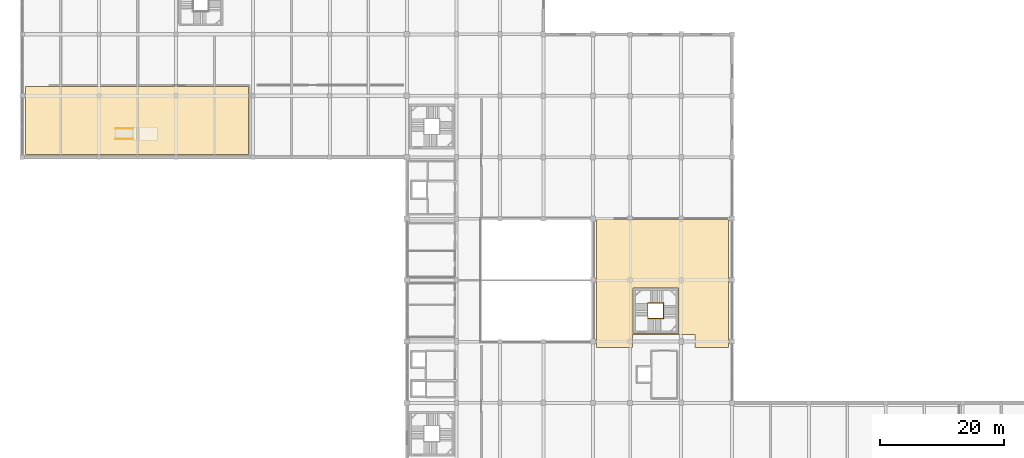
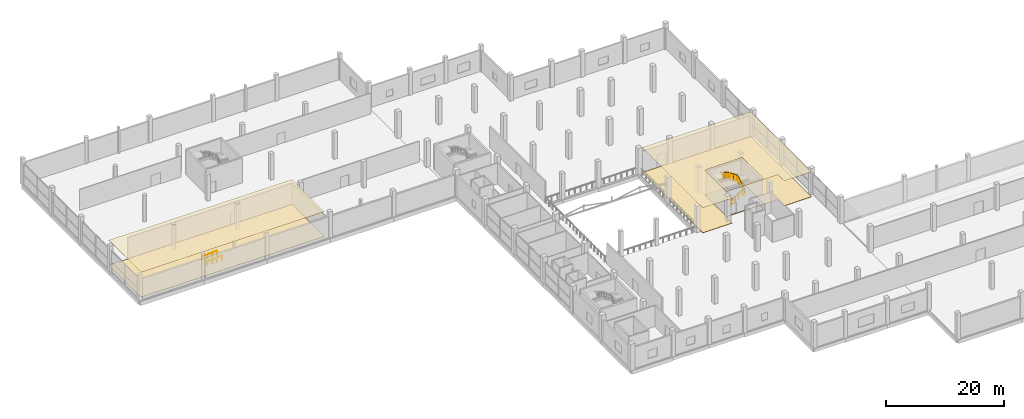
# One storey, part 71 of 74: 4 coverings, 4 railings.
"""IFC4 building model written with IfcOpenShell, lengths in metres."""

from ifc_helpers import new_model, si_unit, direction, frame, origin, origin_2d, place, context, subcontext, project, spatial, polyline, circle, outline, extrude, material, layer, layer_set, type_object, element, save


model = new_model("IFC4")

# Units and contexts
model_context = context("Model", 3, precision=1e-05, world=origin(), true_north=direction((0.0, 1.0)))
body_context = subcontext(model_context, "Body", "Model", "MODEL_VIEW")
ifc_project = project(units=[si_unit("LENGTHUNIT", "METRE"), si_unit("AREAUNIT", "SQUARE_METRE"), si_unit("VOLUMEUNIT", "CUBIC_METRE"), si_unit("PLANEANGLEUNIT", "RADIAN"), si_unit("MASSUNIT", "GRAM", prefix="KILO")], contexts=[model_context])

# Site, building, storey
site_placement = place(None, origin())
site = spatial("IfcSite", under=ifc_project, at=site_placement, CompositionType="ELEMENT")
building_placement = place(site_placement, origin())
building = spatial("IfcBuilding", under=site, at=building_placement, Name="Sillaruma Civic Art Gallery", CompositionType="ELEMENT")
storey_placement = place(building_placement, frame((0.0, 0.0, 5.43994140625)))
storey = spatial("IfcBuildingStorey", under=building, at=storey_placement, Name="L01", CompositionType="ELEMENT", Elevation=5.43994140625)

# Coverings
ifc_material_1 = material(Name="Gypsum Acoustic Board", Category="gypsum")
ifc_layer_1 = layer(ifc_material_1, 0.030029296875, Name="Gypsum Acoustic Board")
ifc_layer_set_1 = layer_set([ifc_layer_1], Name="Gypsum Acoustic Board")
covering_type_1 = type_object("IfcCoveringType", Name="COV-CLG-30", PredefinedType="CEILING", material=ifc_layer_set_1)
covering_1_placement = place(storey_placement, frame((0.0, 0.0, 5.150146484375)))
element("IfcCovering", 1, at=covering_1_placement, inside=storey, type_object=covering_type_1, Name="Acoustic Gallery Ceiling (L01-GAL11)", PredefinedType="CEILING", context=body_context, shape_type="SweptSolid", body=[
    extrude(outline(polyline([(0.56005859375, 79.659912109375), (36.43994140625, 79.659912109375), (36.43994140625, 90.639892578125), (0.56005859375, 90.639892578125), (0.56005859375, 79.659912109375)])), origin(), (0.0, 0.0, 1.0), 0.030029296875),
])
covering_2_placement = place(storey_placement, frame((0.0, 0.0, 5.150146484375)))
element("IfcCovering", 2, at=covering_2_placement, inside=storey, type_object=covering_type_1, Name="Acoustic Gallery Ceiling (L01-GAL12)", PredefinedType="CEILING", context=body_context, shape_type="SweptSolid", body=[
    extrude(outline(polyline([(113.840087890625, 69.139892578125), (113.840087890625, 48.56005859375), (108.4599609375, 48.56005859375), (108.4599609375, 50.639892578125), (108.4599609375, 50.64208984375), (108.459716796875, 50.643798828125), (108.458984375, 50.645751953125), (108.45849609375, 50.647705078125), (108.45751953125, 50.6494140625), (108.45654296875, 50.651123046875), (108.45556640625, 50.652587890625), (108.4541015625, 50.654052734375), (108.45263671875, 50.655517578125), (108.451171875, 50.656494140625), (108.449462890625, 50.65771484375), (108.44775390625, 50.658447265625), (108.44580078125, 50.6591796875), (108.44384765625, 50.65966796875), (108.44189453125, 50.659912109375), (108.43994140625, 50.659912109375), (98.360107421875, 50.659912109375), (98.35791015625, 50.659912109375), (98.356201171875, 50.65966796875), (98.354248046875, 50.6591796875), (98.352294921875, 50.658447265625), (98.3505859375, 50.65771484375), (98.348876953125, 50.656494140625), (98.347412109375, 50.655517578125), (98.345947265625, 50.654052734375), (98.344482421875, 50.652587890625), (98.343505859375, 50.651123046875), (98.34228515625, 50.6494140625), (98.341552734375, 50.647705078125), (98.3408203125, 50.645751953125), (98.34033203125, 50.643798828125), (98.340087890625, 50.64208984375), (98.340087890625, 50.639892578125), (98.340087890625, 48.56005859375), (92.56005859375, 48.56005859375), (92.56005859375, 69.139892578125), (113.840087890625, 69.139892578125)]), holes=[polyline([(105.743896484375, 50.790283203125), (105.745849609375, 50.791015625), (105.747802734375, 50.79150390625), (105.74951171875, 50.79248046875), (105.751220703125, 50.79345703125), (105.752685546875, 50.79443359375), (105.754150390625, 50.7958984375), (105.755615234375, 50.79736328125), (105.756591796875, 50.798828125), (105.757568359375, 50.800537109375), (105.758544921875, 50.80224609375), (105.759033203125, 50.80419921875), (105.759521484375, 50.80615234375), (105.760009765625, 50.80810546875), (105.760009765625, 50.81005859375), (105.760009765625, 58.090087890625), (105.760009765625, 58.092041015625), (105.759521484375, 58.093994140625), (105.759033203125, 58.095703125), (105.758544921875, 58.09765625), (105.757568359375, 58.099365234375), (105.756591796875, 58.10107421875), (105.755615234375, 58.102783203125), (105.754150390625, 58.10400390625), (105.752685546875, 58.10546875), (105.751220703125, 58.106689453125), (105.74951171875, 58.107666015625), (105.747802734375, 58.1083984375), (105.745849609375, 58.109130859375), (105.743896484375, 58.109619140625), (105.741943359375, 58.10986328125), (105.739990234375, 58.110107421875), (98.4599609375, 58.110107421875), (98.4580078125, 58.10986328125), (98.4560546875, 58.109619140625), (98.4541015625, 58.109130859375), (98.452392578125, 58.1083984375), (98.45068359375, 58.107666015625), (98.448974609375, 58.106689453125), (98.447265625, 58.10546875), (98.44580078125, 58.10400390625), (98.444580078125, 58.102783203125), (98.443359375, 58.10107421875), (98.4423828125, 58.099365234375), (98.44140625, 58.09765625), (98.44091796875, 58.095703125), (98.4404296875, 58.093994140625), (98.440185546875, 58.092041015625), (98.43994140625, 58.090087890625), (98.43994140625, 50.81005859375), (98.440185546875, 50.80810546875), (98.4404296875, 50.80615234375), (98.44091796875, 50.80419921875), (98.44140625, 50.80224609375), (98.4423828125, 50.800537109375), (98.443359375, 50.798828125), (98.444580078125, 50.79736328125), (98.44580078125, 50.7958984375), (98.447265625, 50.79443359375), (98.448974609375, 50.79345703125), (98.45068359375, 50.79248046875), (98.452392578125, 50.79150390625), (98.4541015625, 50.791015625), (98.4560546875, 50.790283203125), (98.4580078125, 50.7900390625), (98.4599609375, 50.7900390625), (105.739990234375, 50.7900390625), (105.741943359375, 50.7900390625), (105.743896484375, 50.790283203125)])]), origin(), (0.0, 0.0, 1.0), 0.030029296875),
])
ifc_material_2 = material(Name="Polished Terrazzo", Category="masonry")
ifc_layer_2 = layer(ifc_material_2, 0.02490234375, Name="Polished Terrazzo")
ifc_layer_set_2 = layer_set([ifc_layer_2], Name="Polished Terrazzo")
covering_type_2 = type_object("IfcCoveringType", Name="COV-FLR-25", PredefinedType="FLOORING", material=ifc_layer_set_2)
covering_3_placement = place(storey_placement, origin())
element("IfcCovering", 3, at=covering_3_placement, inside=storey, type_object=covering_type_2, Name="Gallery Stone Terrazzo Flooring (L01-GAL12)", PredefinedType="FLOORING", context=body_context, shape_type="SweptSolid", body=[
    extrude(outline(polyline([(113.840087890625, 69.139892578125), (113.840087890625, 48.56005859375), (108.4599609375, 48.56005859375), (108.4599609375, 50.639892578125), (108.4599609375, 50.64208984375), (108.459716796875, 50.643798828125), (108.458984375, 50.645751953125), (108.45849609375, 50.647705078125), (108.45751953125, 50.6494140625), (108.45654296875, 50.651123046875), (108.45556640625, 50.652587890625), (108.4541015625, 50.654052734375), (108.45263671875, 50.655517578125), (108.451171875, 50.656494140625), (108.449462890625, 50.65771484375), (108.44775390625, 50.658447265625), (108.44580078125, 50.6591796875), (108.44384765625, 50.65966796875), (108.44189453125, 50.659912109375), (108.43994140625, 50.659912109375), (98.360107421875, 50.659912109375), (98.35791015625, 50.659912109375), (98.356201171875, 50.65966796875), (98.354248046875, 50.6591796875), (98.352294921875, 50.658447265625), (98.3505859375, 50.65771484375), (98.348876953125, 50.656494140625), (98.347412109375, 50.655517578125), (98.345947265625, 50.654052734375), (98.344482421875, 50.652587890625), (98.343505859375, 50.651123046875), (98.34228515625, 50.6494140625), (98.341552734375, 50.647705078125), (98.3408203125, 50.645751953125), (98.34033203125, 50.643798828125), (98.340087890625, 50.64208984375), (98.340087890625, 50.639892578125), (98.340087890625, 48.56005859375), (92.56005859375, 48.56005859375), (92.56005859375, 69.139892578125), (113.840087890625, 69.139892578125)]), holes=[polyline([(105.743896484375, 50.790283203125), (105.745849609375, 50.791015625), (105.747802734375, 50.79150390625), (105.74951171875, 50.79248046875), (105.751220703125, 50.79345703125), (105.752685546875, 50.79443359375), (105.754150390625, 50.7958984375), (105.755615234375, 50.79736328125), (105.756591796875, 50.798828125), (105.757568359375, 50.800537109375), (105.758544921875, 50.80224609375), (105.759033203125, 50.80419921875), (105.759521484375, 50.80615234375), (105.760009765625, 50.80810546875), (105.760009765625, 50.81005859375), (105.760009765625, 58.090087890625), (105.760009765625, 58.092041015625), (105.759521484375, 58.093994140625), (105.759033203125, 58.095703125), (105.758544921875, 58.09765625), (105.757568359375, 58.099365234375), (105.756591796875, 58.10107421875), (105.755615234375, 58.102783203125), (105.754150390625, 58.10400390625), (105.752685546875, 58.10546875), (105.751220703125, 58.106689453125), (105.74951171875, 58.107666015625), (105.747802734375, 58.1083984375), (105.745849609375, 58.109130859375), (105.743896484375, 58.109619140625), (105.741943359375, 58.10986328125), (105.739990234375, 58.110107421875), (98.4599609375, 58.110107421875), (98.4580078125, 58.10986328125), (98.4560546875, 58.109619140625), (98.4541015625, 58.109130859375), (98.452392578125, 58.1083984375), (98.45068359375, 58.107666015625), (98.448974609375, 58.106689453125), (98.447265625, 58.10546875), (98.44580078125, 58.10400390625), (98.444580078125, 58.102783203125), (98.443359375, 58.10107421875), (98.4423828125, 58.099365234375), (98.44140625, 58.09765625), (98.44091796875, 58.095703125), (98.4404296875, 58.093994140625), (98.440185546875, 58.092041015625), (98.43994140625, 58.090087890625), (98.43994140625, 50.81005859375), (98.440185546875, 50.80810546875), (98.4404296875, 50.80615234375), (98.44091796875, 50.80419921875), (98.44140625, 50.80224609375), (98.4423828125, 50.800537109375), (98.443359375, 50.798828125), (98.444580078125, 50.79736328125), (98.44580078125, 50.7958984375), (98.447265625, 50.79443359375), (98.448974609375, 50.79345703125), (98.45068359375, 50.79248046875), (98.452392578125, 50.79150390625), (98.4541015625, 50.791015625), (98.4560546875, 50.790283203125), (98.4580078125, 50.7900390625), (98.4599609375, 50.7900390625), (105.739990234375, 50.7900390625), (105.741943359375, 50.7900390625), (105.743896484375, 50.790283203125)])]), origin(), (0.0, 0.0, 1.0), 0.025146484375),
])
ifc_material_3 = material(Name="Basalt Paver Stone", Category="masonry")
ifc_layer_3 = layer(ifc_material_3, 0.034912109375, Name="Basalt Paver Stone")
ifc_layer_set_3 = layer_set([ifc_layer_3], Name="Basalt Paver Stone")
covering_type_3 = type_object("IfcCoveringType", Name="COV-FLR-35", PredefinedType="FLOORING", material=ifc_layer_set_3)
covering_4_placement = place(storey_placement, origin())
element("IfcCovering", 4, at=covering_4_placement, inside=storey, type_object=covering_type_3, Name="Gallery Stone Terrazzo Flooring (L01-GAL11)", PredefinedType="FLOORING", context=body_context, shape_type="SweptSolid", body=[
    extrude(outline(polyline([(0.56005859375, 79.659912109375), (36.43994140625, 79.659912109375), (36.43994140625, 90.639892578125), (0.56005859375, 90.639892578125), (0.56005859375, 79.659912109375)])), origin(), (0.0, 0.0, 1.0), 0.03515625),
])

# Railings
ifc_material_4 = material(Name="Stainless Steel AISI 316", Category="steel")
railing_type_1 = type_object("IfcRailingType", Name="RAL-BAL-1150", PredefinedType="BALUSTRADE", material=ifc_material_4)
railing_1_placement = place(storey_placement, frame((100.840087890625, 53.18994140625, 0.0)))
element("IfcRailing", 5, at=railing_1_placement, inside=storey, type_object=railing_type_1, Name="Stair Well Balustrade (ST-04-L01)", PredefinedType="BALUSTRADE", context=body_context, shape_type="SweptSolid", body=[
    extrude(circle(Radius=0.02392578125, at=origin_2d()), frame((0.0, 0.0, 1.1259765625), z_axis=(0.838130295786, 0.0, 0.545470079185), x_axis=(0.0, 1.0, 0.0)), (0.0, 0.0, 1.0), 2.493408203125),
    extrude(circle(Radius=0.02392578125, at=origin_2d()), frame((2.08984375, 0.0, 2.48583984375), z_axis=(1.0, 0.0, 0.0), x_axis=(0.0, 1.0, 0.0)), (0.0, 0.0, 1.0), 0.43017578125),
    extrude(circle(Radius=0.02392578125, at=origin_2d()), frame((2.52001953125, 0.0, 2.48583984375), z_axis=(0.0, 0.838204181713, 0.545356534534), x_axis=(-1.0, 0.0, 0.0)), (0.0, 0.0, 1.0), 2.49365234375),
    extrude(circle(Radius=0.02392578125, at=origin_2d()), frame((2.52001953125, 2.090087890625, 3.845703125), z_axis=(0.0, 1.0, 0.0), x_axis=(-1.0, 0.0, 0.0)), (0.0, 0.0, 1.0), 0.429931640625),
    extrude(circle(Radius=0.02392578125, at=origin_2d()), frame((2.52001953125, 2.52001953125, 3.845703125), z_axis=(-0.838159424827, 0.0, 0.545425318971), x_axis=(0.0, -1.0, 0.0)), (0.0, 0.0, 1.0), 2.49365234375),
    extrude(circle(Radius=0.02392578125, at=origin_2d()), frame((0.429931640625, 2.52001953125, 5.2060546875), z_axis=(-1.0, 0.0, 0.0), x_axis=(0.0, -1.0, 0.0)), (0.0, 0.0, 1.0), 0.429931640625),
    extrude(circle(Radius=0.02392578125, at=origin_2d()), frame((0.0, 2.52001953125, 5.2060546875), z_axis=(0.0, -0.838175058464, 0.545401293883), x_axis=(1.0, 0.0, 0.0)), (0.0, 0.0, 1.0), 2.493408203125),
    extrude(circle(Radius=0.02099609375, at=origin_2d()), origin(), (0.0, 0.0, 1.0), 1.101806640625),
    extrude(circle(Radius=0.02099609375, at=origin_2d()), frame((0.696533203125, 0.0, 0.453369140625)), (0.0, 0.0, 1.0), 1.101806640625),
    extrude(circle(Radius=0.02099609375, at=origin_2d()), frame((1.393310546875, 0.0, 0.90673828125)), (0.0, 0.0, 1.0), 1.101806640625),
    extrude(circle(Radius=0.02099609375, at=origin_2d()), frame((2.08984375, 0.0, 1.360107421875)), (0.0, 0.0, 1.0), 1.101806640625),
    extrude(circle(Radius=0.02099609375, at=origin_2d()), frame((2.52001953125, 0.0, 1.360107421875)), (0.0, 0.0, 1.0), 1.101806640625),
    extrude(circle(Radius=0.02099609375, at=origin_2d()), frame((2.52001953125, 0.69677734375, 1.8134765625)), (0.0, 0.0, 1.0), 1.101806640625),
    extrude(circle(Radius=0.02099609375, at=origin_2d()), frame((2.52001953125, 1.393310546875, 2.2666015625)), (0.0, 0.0, 1.0), 1.101806640625),
    extrude(circle(Radius=0.02099609375, at=origin_2d()), frame((2.52001953125, 2.090087890625, 2.719970703125)), (0.0, 0.0, 1.0), 1.101806640625),
    extrude(circle(Radius=0.02099609375, at=origin_2d()), frame((2.52001953125, 2.52001953125, 2.719970703125)), (0.0, 0.0, 1.0), 1.101806640625),
    extrude(circle(Radius=0.02099609375, at=origin_2d()), frame((1.8232421875, 2.52001953125, 3.17333984375)), (0.0, 0.0, 1.0), 1.101806640625),
    extrude(circle(Radius=0.02099609375, at=origin_2d()), frame((1.126708984375, 2.52001953125, 3.626708984375)), (0.0, 0.0, 1.0), 1.101806640625),
    extrude(circle(Radius=0.02099609375, at=origin_2d()), frame((0.429931640625, 2.52001953125, 4.080078125)), (0.0, 0.0, 1.0), 1.101806640625),
    extrude(circle(Radius=0.02099609375, at=origin_2d()), frame((0.0, 2.52001953125, 4.080078125)), (0.0, 0.0, 1.0), 1.101806640625),
    extrude(circle(Radius=0.02099609375, at=origin_2d()), frame((0.0, 1.823486328125, 4.533447265625)), (0.0, 0.0, 1.0), 1.101806640625),
    extrude(circle(Radius=0.02099609375, at=origin_2d()), frame((0.0, 1.126708984375, 4.986572265625)), (0.0, 0.0, 1.0), 1.101806640625),
    extrude(circle(Radius=0.02099609375, at=origin_2d()), frame((0.0, 0.43017578125, 5.43994140625)), (0.0, 0.0, 1.0), 1.101806640625),
])
railing_type_2 = type_object("IfcRailingType", Name="RAL-HND-920", PredefinedType="HANDRAIL", material=ifc_material_4)
for number, where, name in (
    (6, (15.0, 82.159912109375, 0.0), "Podium Gallery Plinth Accessible Ramp RMP-G01 Handrail 1"),
    (7, (15.0, 83.840087890625, 0.0), "Podium Gallery Plinth Accessible Ramp RMP-G01 Handrail 2"),
):
    element("IfcRailing", number, at=place(storey_placement, frame(where)), inside=storey, type_object=railing_type_2, Name=name, PredefinedType="HANDRAIL", context=body_context, shape_type="SweptSolid", body=[
        extrude(circle(Radius=0.02392578125, at=origin_2d()), frame((0.0, 0.0, 0.89599609375), z_axis=(0.998048625863, 0.0, 0.062441495921), x_axis=(0.0, 1.0, 0.0)), (0.0, 0.0, 1.0), 2.885498046875),
        extrude(circle(Radius=0.02099609375, at=origin_2d()), origin(), (0.0, 0.0, 1.0), 0.871826171875),
        extrude(circle(Radius=0.02099609375, at=origin_2d()), frame((0.9599609375, 0.0, 0.06005859375)), (0.0, 0.0, 1.0), 0.871826171875),
        extrude(circle(Radius=0.02099609375, at=origin_2d()), frame((1.919921875, 0.0, 0.1201171875)), (0.0, 0.0, 1.0), 0.871826171875),
        extrude(circle(Radius=0.02099609375, at=origin_2d()), frame((2.8798828125, 0.0, 0.18017578125)), (0.0, 0.0, 1.0), 0.871826171875),
    ])
railing_2_placement = place(storey_placement, frame((100.840087890625, 53.18994140625, 0.0)))
element("IfcRailing", 8, at=railing_2_placement, inside=storey, type_object=railing_type_2, Name="Stair Continuous Handrail (ST-04-L01)", PredefinedType="HANDRAIL", context=body_context, shape_type="SweptSolid", body=[
    extrude(circle(Radius=0.02392578125, at=origin_2d()), frame((0.0, 0.0, 0.89599609375), z_axis=(0.838130295786, 0.0, 0.545470079185), x_axis=(0.0, 1.0, 0.0)), (0.0, 0.0, 1.0), 2.493408203125),
    extrude(circle(Radius=0.02392578125, at=origin_2d()), frame((2.08984375, 0.0, 2.255859375), z_axis=(1.0, 0.0, 0.0), x_axis=(0.0, 1.0, 0.0)), (0.0, 0.0, 1.0), 0.43017578125),
    extrude(circle(Radius=0.02392578125, at=origin_2d()), frame((2.52001953125, 0.0, 2.255859375), z_axis=(0.0, 0.838204181713, 0.545356534534), x_axis=(-1.0, 0.0, 0.0)), (0.0, 0.0, 1.0), 2.49365234375),
    extrude(circle(Radius=0.02392578125, at=origin_2d()), frame((2.52001953125, 2.090087890625, 3.61572265625), z_axis=(0.0, 1.0, 0.0), x_axis=(-1.0, 0.0, 0.0)), (0.0, 0.0, 1.0), 0.429931640625),
    extrude(circle(Radius=0.02392578125, at=origin_2d()), frame((2.52001953125, 2.52001953125, 3.61572265625), z_axis=(-0.838159424827, 0.0, 0.545425318971), x_axis=(0.0, -1.0, 0.0)), (0.0, 0.0, 1.0), 2.49365234375),
    extrude(circle(Radius=0.02392578125, at=origin_2d()), frame((0.429931640625, 2.52001953125, 4.97607421875), z_axis=(-1.0, 0.0, 0.0), x_axis=(0.0, -1.0, 0.0)), (0.0, 0.0, 1.0), 0.429931640625),
    extrude(circle(Radius=0.02392578125, at=origin_2d()), frame((0.0, 2.52001953125, 4.97607421875), z_axis=(0.0, -0.838175058464, 0.545401293883), x_axis=(1.0, 0.0, 0.0)), (0.0, 0.0, 1.0), 2.493408203125),
    extrude(circle(Radius=0.02099609375, at=origin_2d()), origin(), (0.0, 0.0, 1.0), 0.871826171875),
    extrude(circle(Radius=0.02099609375, at=origin_2d()), frame((0.696533203125, 0.0, 0.453369140625)), (0.0, 0.0, 1.0), 0.871826171875),
    extrude(circle(Radius=0.02099609375, at=origin_2d()), frame((1.393310546875, 0.0, 0.90673828125)), (0.0, 0.0, 1.0), 0.871826171875),
    extrude(circle(Radius=0.02099609375, at=origin_2d()), frame((2.08984375, 0.0, 1.360107421875)), (0.0, 0.0, 1.0), 0.871826171875),
    extrude(circle(Radius=0.02099609375, at=origin_2d()), frame((2.52001953125, 0.0, 1.360107421875)), (0.0, 0.0, 1.0), 0.871826171875),
    extrude(circle(Radius=0.02099609375, at=origin_2d()), frame((2.52001953125, 0.69677734375, 1.8134765625)), (0.0, 0.0, 1.0), 0.871826171875),
    extrude(circle(Radius=0.02099609375, at=origin_2d()), frame((2.52001953125, 1.393310546875, 2.2666015625)), (0.0, 0.0, 1.0), 0.871826171875),
    extrude(circle(Radius=0.02099609375, at=origin_2d()), frame((2.52001953125, 2.090087890625, 2.719970703125)), (0.0, 0.0, 1.0), 0.871826171875),
    extrude(circle(Radius=0.02099609375, at=origin_2d()), frame((2.52001953125, 2.52001953125, 2.719970703125)), (0.0, 0.0, 1.0), 0.871826171875),
    extrude(circle(Radius=0.02099609375, at=origin_2d()), frame((1.8232421875, 2.52001953125, 3.17333984375)), (0.0, 0.0, 1.0), 0.871826171875),
    extrude(circle(Radius=0.02099609375, at=origin_2d()), frame((1.126708984375, 2.52001953125, 3.626708984375)), (0.0, 0.0, 1.0), 0.871826171875),
    extrude(circle(Radius=0.02099609375, at=origin_2d()), frame((0.429931640625, 2.52001953125, 4.080078125)), (0.0, 0.0, 1.0), 0.871826171875),
    extrude(circle(Radius=0.02099609375, at=origin_2d()), frame((0.0, 2.52001953125, 4.080078125)), (0.0, 0.0, 1.0), 0.871826171875),
    extrude(circle(Radius=0.02099609375, at=origin_2d()), frame((0.0, 1.823486328125, 4.533447265625)), (0.0, 0.0, 1.0), 0.871826171875),
    extrude(circle(Radius=0.02099609375, at=origin_2d()), frame((0.0, 1.126708984375, 4.986572265625)), (0.0, 0.0, 1.0), 0.871826171875),
    extrude(circle(Radius=0.02099609375, at=origin_2d()), frame((0.0, 0.43017578125, 5.43994140625)), (0.0, 0.0, 1.0), 0.871826171875),
])

save(model, "model.ifc")
